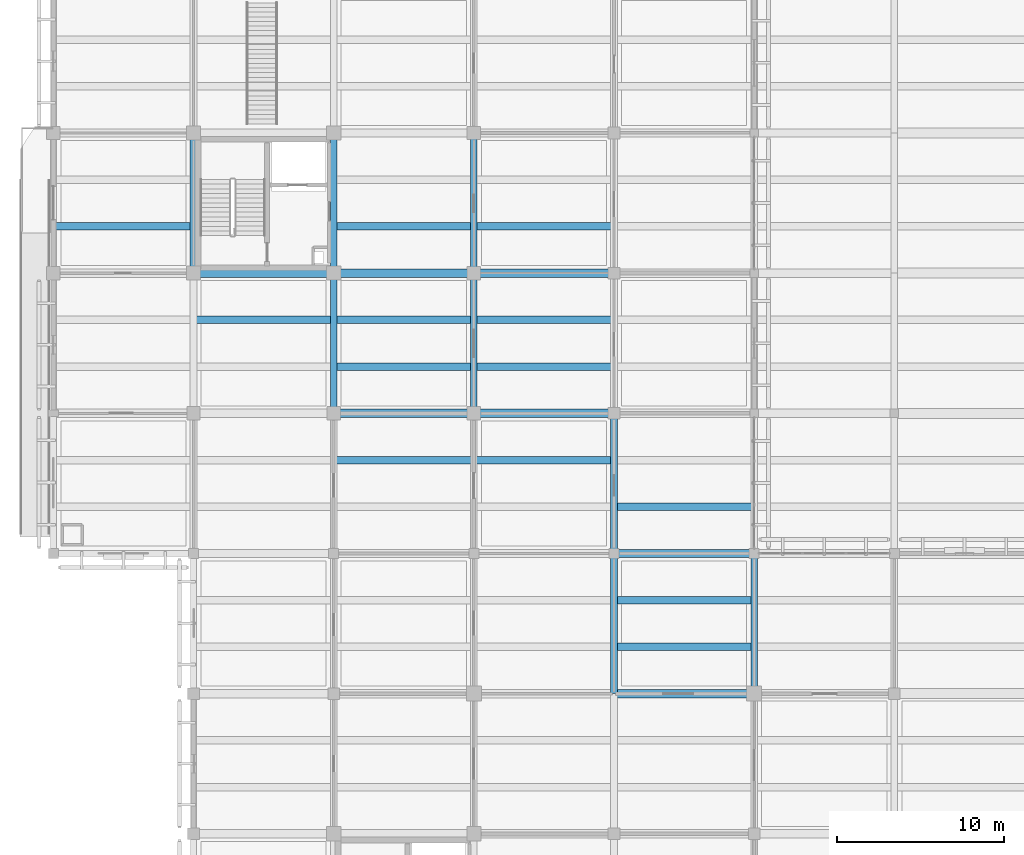
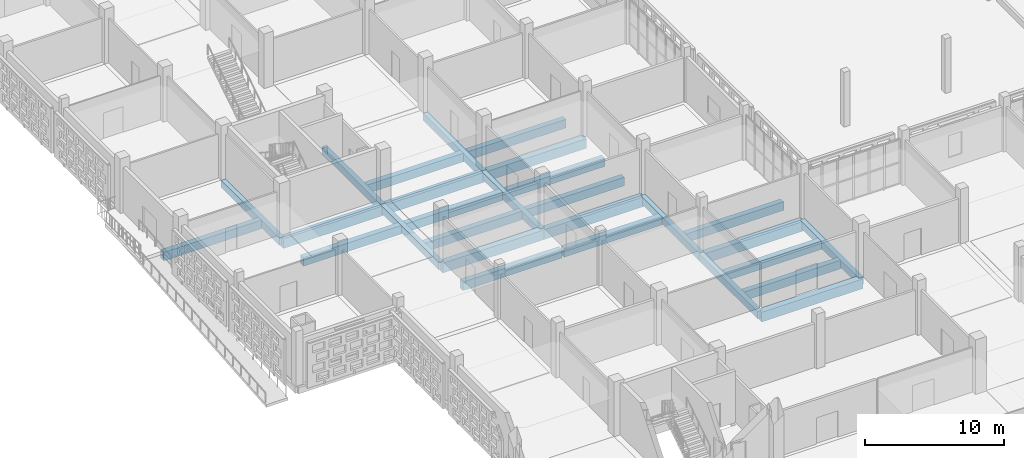
# One storey, part 5 of 129: 28 beams.
"""IFC4 building model written with IfcOpenShell, lengths in metres."""

from ifc_helpers import new_model, si_unit, direction, frame, origin, origin_2d, place, context, subcontext, project, spatial, rectangle, extrude, material, material_profile, profile_set, type_object, element, save


model = new_model("IFC4")

# Units and contexts
model_context = context("Model", 3, precision=1e-05, world=origin(), true_north=direction((0.0, 1.0)))
body_context = subcontext(model_context, "Body", "Model", "MODEL_VIEW")
ifc_project = project(units=[si_unit("LENGTHUNIT", "METRE"), si_unit("AREAUNIT", "SQUARE_METRE"), si_unit("VOLUMEUNIT", "CUBIC_METRE"), si_unit("PLANEANGLEUNIT", "RADIAN"), si_unit("MASSUNIT", "GRAM", prefix="KILO")], contexts=[model_context])

# Site, building, storey
site_placement = place(None, origin())
site = spatial("IfcSite", under=ifc_project, at=site_placement, CompositionType="ELEMENT")
building_placement = place(site_placement, origin())
building = spatial("IfcBuilding", under=site, at=building_placement, Name="Varnapada Polytechnic", CompositionType="ELEMENT")
storey_placement = place(building_placement, origin())
storey = spatial("IfcBuildingStorey", under=building, at=storey_placement, Name="L00", CompositionType="ELEMENT", Elevation=0.0)

# Beams
ifc_material = material(Name="Concrete C40/50", Category="concrete")
ifc_material_profile_1 = material_profile(ifc_material, rectangle(XDim=0.449951171875, YDim=0.75, at=origin_2d()), Name="RC 450x750")
ifc_profile_set_1 = profile_set([ifc_material_profile_1], Name="Concrete C40/50")
beam_type_1 = type_object("IfcBeamType", Name="Basement/podium secondary beam BB-01 (RC 450x750)", PredefinedType="BEAM", material=ifc_profile_set_1)
for number, where, z_axis, x_axis, name in (
    (1, (0.080078125, 61.60009765625, -0.675048828125), (1.0, 0.0, 0.0), (0.0, 1.0, 0.0), "L00 floor joist 1/8.1"),
    (2, (8.47998046875, 56.0, -0.675048828125), (1.0, 0.0, 0.0), (0.0, 1.0, 0.0), "L00 floor joist 2/7.2"),
):
    element("IfcBeam", number, at=place(storey_placement, frame(where, z_axis=z_axis, x_axis=x_axis)), inside=storey, type_object=beam_type_1, Name=name, PredefinedType="BEAM", context=body_context, shape_type="SweptSolid", body=[
        extrude(rectangle(XDim=0.449951171875, YDim=0.75, at=origin_2d()), origin(), (0.0, 0.0, 1.0), 8.239990234375),
    ])
for number, where, z_axis, x_axis, name in (
    (3, (16.8798828125, 47.60009765625, -0.675048828125), (1.0, 0.0, 0.0), (0.0, 1.0, 0.0), "L00 floor joist 3/6.2"),
    (4, (16.8798828125, 53.199951171875, -0.675048828125), (1.0, 0.0, 0.0), (0.0, 1.0, 0.0), "L00 floor joist 3/7.1"),
    (5, (16.8798828125, 56.0, -0.675048828125), (1.0, 0.0, 0.0), (0.0, 1.0, 0.0), "L00 floor joist 3/7.2"),
    (6, (16.8798828125, 61.60009765625, -0.675048828125), (1.0, 0.0, 0.0), (0.0, 1.0, 0.0), "L00 floor joist 3/8.1"),
):
    element("IfcBeam", number, at=place(storey_placement, frame(where, z_axis=z_axis, x_axis=x_axis)), inside=storey, type_object=beam_type_1, Name=name, PredefinedType="BEAM", context=body_context, shape_type="SweptSolid", body=[
        extrude(rectangle(XDim=0.449951171875, YDim=0.75, at=origin_2d()), origin(), (0.0, 0.0, 1.0), 8.240234375),
    ])
for number, where, z_axis, x_axis, name in (
    (7, (25.280029296875, 47.60009765625, -0.675048828125), (1.0, 0.0, 0.0), (0.0, 1.0, 0.0), "L00 floor joist 4/6.2"),
    (8, (25.280029296875, 53.199951171875, -0.675048828125), (1.0, 0.0, 0.0), (0.0, 1.0, 0.0), "L00 floor joist 4/7.1"),
    (9, (25.280029296875, 56.0, -0.675048828125), (1.0, 0.0, 0.0), (0.0, 1.0, 0.0), "L00 floor joist 4/7.2"),
    (10, (25.280029296875, 61.60009765625, -0.675048828125), (1.0, 0.0, 0.0), (0.0, 1.0, 0.0), "L00 floor joist 4/8.1"),
    (11, (33.679931640625, 36.39990234375, -0.675048828125), (1.0, 0.0, 0.0), (0.0, 1.0, 0.0), "L00 floor joist 5/5.1"),
    (12, (33.679931640625, 39.199951171875, -0.675048828125), (1.0, 0.0, 0.0), (0.0, 1.0, 0.0), "L00 floor joist 5/5.2"),
    (13, (33.679931640625, 44.800048828125, -0.675048828125), (1.0, 0.0, 0.0), (0.0, 1.0, 0.0), "L00 floor joist 5/6.1"),
):
    element("IfcBeam", number, at=place(storey_placement, frame(where, z_axis=z_axis, x_axis=x_axis)), inside=storey, type_object=beam_type_1, Name=name, PredefinedType="BEAM", context=body_context, shape_type="SweptSolid", body=[
        extrude(rectangle(XDim=0.449951171875, YDim=0.75, at=origin_2d()), origin(), (0.0, 0.0, 1.0), 8.239990234375),
    ])
ifc_material_profile_2 = material_profile(ifc_material, rectangle(XDim=0.39990234375, YDim=0.64990234375, at=origin_2d()), Name="RC 400x650")
ifc_profile_set_2 = profile_set([ifc_material_profile_2], Name="Concrete C40/50")
beam_type_2 = type_object("IfcBeamType", Name="Podium framing beam BB-02 (RC 400x650)", PredefinedType="BEAM", material=ifc_profile_set_2)
beam_1_placement = place(storey_placement, frame((8.39990234375, 58.800048828125, -0.625), z_axis=(0.0, 1.0, 0.0), x_axis=(-1.0, 0.0, 0.0)))
element("IfcBeam", 14, at=beam_1_placement, inside=storey, type_object=beam_type_2, Name="L00 beam Y 8-9 at X2", PredefinedType="BEAM", context=body_context, shape_type="SweptSolid", body=[
    extrude(rectangle(XDim=0.39990234375, YDim=0.64990234375, at=origin_2d()), origin(), (0.0, 0.0, 1.0), 8.39990234375),
])
beam_2_placement = place(storey_placement, frame((16.800048828125, 50.39990234375, -0.625), z_axis=(0.0, 1.0, 0.0), x_axis=(-1.0, 0.0, 0.0)))
element("IfcBeam", 15, at=beam_2_placement, inside=storey, type_object=beam_type_2, Name="L00 beam Y 7-8 at X3", PredefinedType="BEAM", context=body_context, shape_type="SweptSolid", body=[
    extrude(rectangle(XDim=0.39990234375, YDim=0.64990234375, at=origin_2d()), origin(), (0.0, 0.0, 1.0), 8.400146484375),
])
beam_3_placement = place(storey_placement, frame((16.800048828125, 58.800048828125, -0.625), z_axis=(0.0, 1.0, 0.0), x_axis=(-1.0, 0.0, 0.0)))
element("IfcBeam", 16, at=beam_3_placement, inside=storey, type_object=beam_type_2, Name="L00 beam Y 8-9 at X3", PredefinedType="BEAM", context=body_context, shape_type="SweptSolid", body=[
    extrude(rectangle(XDim=0.39990234375, YDim=0.64990234375, at=origin_2d()), origin(), (0.0, 0.0, 1.0), 8.39990234375),
])
beam_4_placement = place(storey_placement, frame((25.199951171875, 50.39990234375, -0.625), z_axis=(0.0, 1.0, 0.0), x_axis=(-1.0, 0.0, 0.0)))
element("IfcBeam", 17, at=beam_4_placement, inside=storey, type_object=beam_type_2, Name="L00 beam Y 7-8 at X4", PredefinedType="BEAM", context=body_context, shape_type="SweptSolid", body=[
    extrude(rectangle(XDim=0.39990234375, YDim=0.64990234375, at=origin_2d()), origin(), (0.0, 0.0, 1.0), 8.400146484375),
])
for number, where, z_axis, x_axis, name in (
    (18, (25.199951171875, 58.800048828125, -0.625), (0.0, 1.0, 0.0), (-1.0, 0.0, 0.0), "L00 beam Y 8-9 at X4"),
    (19, (33.60009765625, 33.60009765625, -0.625), (0.0, 1.0, 0.0), (-1.0, 0.0, 0.0), "L00 beam Y 5-6 at X5"),
    (20, (33.60009765625, 42.0, -0.625), (0.0, 1.0, 0.0), (-1.0, 0.0, 0.0), "L00 beam Y 6-7 at X5"),
    (21, (42.0, 33.60009765625, -0.625), (0.0, 1.0, 0.0), (-1.0, 0.0, 0.0), "L00 beam Y 5-6 at X6"),
):
    element("IfcBeam", number, at=place(storey_placement, frame(where, z_axis=z_axis, x_axis=x_axis)), inside=storey, type_object=beam_type_2, Name=name, PredefinedType="BEAM", context=body_context, shape_type="SweptSolid", body=[
        extrude(rectangle(XDim=0.39990234375, YDim=0.64990234375, at=origin_2d()), origin(), (0.0, 0.0, 1.0), 8.39990234375),
    ])
ifc_material_profile_3 = material_profile(ifc_material, rectangle(XDim=0.5, YDim=0.85009765625, at=origin_2d()), Name="RC 500x850")
ifc_profile_set_3 = profile_set([ifc_material_profile_3], Name="Concrete C40/50")
beam_type_3 = type_object("IfcBeamType", Name="Standard podium primary girder BG-02 (RC 500x850)", PredefinedType="T_BEAM", material=ifc_profile_set_3)
beam_5_placement = place(storey_placement, frame((8.39990234375, 58.800048828125, -0.72509765625), z_axis=(1.0, 0.0, 0.0), x_axis=(0.0, 1.0, 0.0)))
element("IfcBeam", 22, at=beam_5_placement, inside=storey, type_object=beam_type_3, Name="L00 beam X 2-3 at Y8", PredefinedType="T_BEAM", context=body_context, shape_type="SweptSolid", body=[
    extrude(rectangle(XDim=0.5, YDim=0.85009765625, at=origin_2d()), origin(), (0.0, 0.0, 1.0), 8.400146484375),
])
for number, where, z_axis, x_axis, name in (
    (23, (16.800048828125, 50.39990234375, -0.72509765625), (1.0, 0.0, 0.0), (0.0, 1.0, 0.0), "L00 beam X 3-4 at Y7"),
    (24, (16.800048828125, 58.800048828125, -0.72509765625), (1.0, 0.0, 0.0), (0.0, 1.0, 0.0), "L00 beam X 3-4 at Y8"),
):
    element("IfcBeam", number, at=place(storey_placement, frame(where, z_axis=z_axis, x_axis=x_axis)), inside=storey, type_object=beam_type_3, Name=name, PredefinedType="T_BEAM", context=body_context, shape_type="SweptSolid", body=[
        extrude(rectangle(XDim=0.5, YDim=0.85009765625, at=origin_2d()), origin(), (0.0, 0.0, 1.0), 8.39990234375),
    ])
for number, where, z_axis, x_axis, name in (
    (25, (25.199951171875, 50.39990234375, -0.72509765625), (1.0, 0.0, 0.0), (0.0, 1.0, 0.0), "L00 beam X 4-5 at Y7"),
    (26, (25.199951171875, 58.800048828125, -0.72509765625), (1.0, 0.0, 0.0), (0.0, 1.0, 0.0), "L00 beam X 4-5 at Y8"),
):
    element("IfcBeam", number, at=place(storey_placement, frame(where, z_axis=z_axis, x_axis=x_axis)), inside=storey, type_object=beam_type_3, Name=name, PredefinedType="T_BEAM", context=body_context, shape_type="SweptSolid", body=[
        extrude(rectangle(XDim=0.5, YDim=0.85009765625, at=origin_2d()), origin(), (0.0, 0.0, 1.0), 8.400146484375),
    ])
for number, where, z_axis, x_axis, name in (
    (27, (33.60009765625, 33.60009765625, -0.72509765625), (1.0, 0.0, 0.0), (0.0, 1.0, 0.0), "L00 beam X 5-6 at Y5"),
    (28, (33.60009765625, 42.0, -0.72509765625), (1.0, 0.0, 0.0), (0.0, 1.0, 0.0), "L00 beam X 5-6 at Y6"),
):
    element("IfcBeam", number, at=place(storey_placement, frame(where, z_axis=z_axis, x_axis=x_axis)), inside=storey, type_object=beam_type_3, Name=name, PredefinedType="T_BEAM", context=body_context, shape_type="SweptSolid", body=[
        extrude(rectangle(XDim=0.5, YDim=0.85009765625, at=origin_2d()), origin(), (0.0, 0.0, 1.0), 8.39990234375),
    ])

save(model, "model.ifc")
